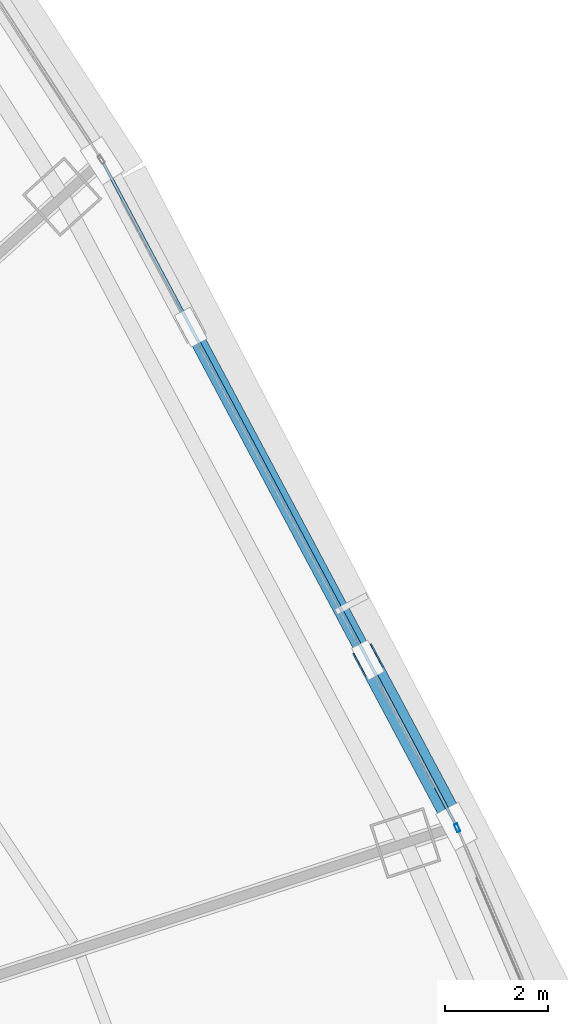
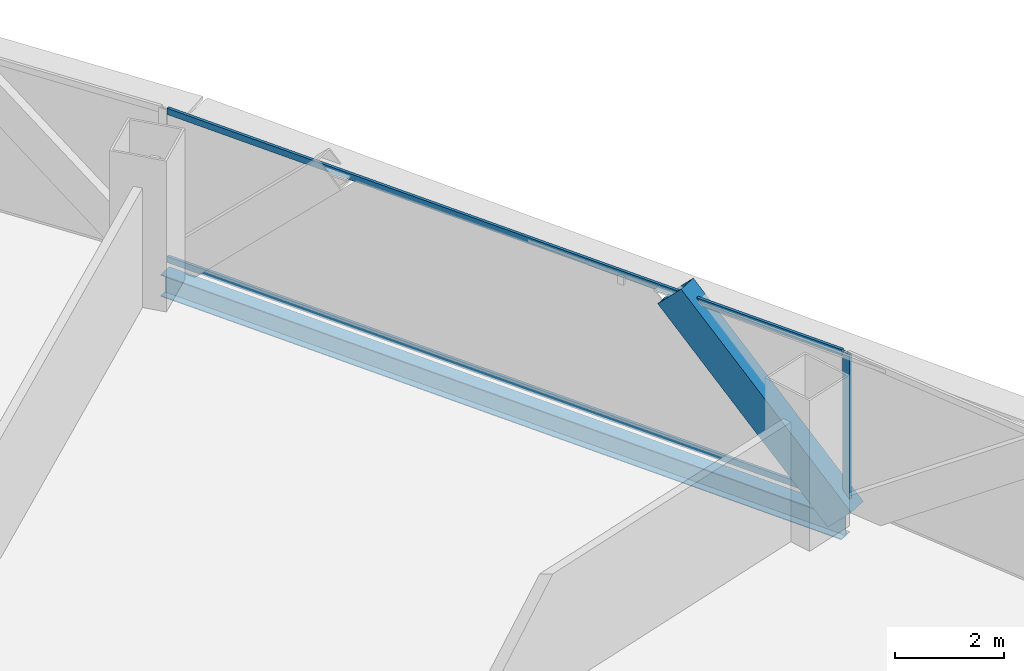
# One storey, part 24 of 41: 4 members, 1 beam, 2 elements without a shape of their own.
"""IFC4 building model written with IfcOpenShell, lengths in metres."""

from ifc_helpers import new_model, si_unit, direction, frame, origin, origin_2d, place, context, subcontext, project, spatial, hollow_rectangle, i_section, extrude, source, transform, mapped, material, layer, layer_set, material_profile, profile_set, type_object, element, aggregate, save


model = new_model("IFC4")

# Units and contexts
model_context = context("Model", 3, precision=1e-05, world=origin(), true_north=direction((0.0, 1.0)))
body_context = subcontext(model_context, "Body", "Model", "MODEL_VIEW")
ifc_project = project(units=[si_unit("LENGTHUNIT", "METRE"), si_unit("AREAUNIT", "SQUARE_METRE"), si_unit("VOLUMEUNIT", "CUBIC_METRE"), si_unit("PLANEANGLEUNIT", "RADIAN"), si_unit("MASSUNIT", "GRAM", prefix="KILO"), si_unit("THERMODYNAMICTEMPERATUREUNIT", "KELVIN"), si_unit("POWERUNIT", "WATT")], contexts=[model_context])

# Site, building, storey
site_placement = place(None, origin())
site = spatial("IfcSite", under=ifc_project, at=site_placement, CompositionType="ELEMENT")
building_placement = place(site_placement, origin())
building = spatial("IfcBuilding", under=site, at=building_placement, Name="Yunzhuo Pagoda Commons", CompositionType="ELEMENT")
storey_placement = place(building_placement, frame((0.0, 0.0, 63.070068359375)))
storey = spatial("IfcBuildingStorey", under=building, at=storey_placement, Name="L16", CompositionType="ELEMENT", Elevation=63.070068359375)

# Beam
ifc_material_1 = material(Name="Structural steel Q355B", Category="steel")
ifc_material_profile_1 = material_profile(ifc_material_1, i_section(OverallWidth=0.300048828125, OverallDepth=0.488037109375, WebThickness=0.010986328125, FlangeThickness=0.01806640625, at=origin_2d()), Name="Structural steel Q355B")
ifc_profile_set_1 = profile_set([ifc_material_profile_1], Name="Structural steel Q355B")
beam_type = type_object("IfcBeamType", Name="B-SP1 Beam HM 488x300x11x18", PredefinedType="BEAM", material=ifc_profile_set_1)
shared_shape_1 = source(origin(), body_context, "Body", "SweptSolid", [
    extrude(i_section(OverallWidth=0.300048828125, OverallDepth=0.488037109375, WebThickness=0.010986328125, FlangeThickness=0.01806640625, at=origin_2d()), origin(), (0.0, 0.0, 1.0), 14.68994140625),
])
beam_placement = place(storey_placement, frame((81.333984375, 44.531005859375, -0.504150390625), z_axis=(-0.470054191836, 0.882637556836, 0.0), x_axis=(-0.882637556836, -0.470054191836, 0.0)))
element("IfcBeam", 1, at=beam_placement, inside=storey, type_object=beam_type, Name="L16 facade edge spandrel beam F2.2", PredefinedType="BEAM", context=body_context, shape_type="MappedRepresentation", body=[
    mapped(shared_shape_1, transform((0.0, 0.0, 0.0), scale=1.0)),
])

# Member
ifc_material_2 = material(Name="Structural steel Q420B", Category="steel")
ifc_material_profile_2 = material_profile(ifc_material_2, hollow_rectangle(XDim=0.419921875, YDim=0.719970703125, WallThickness=0.028076171875, at=origin_2d()), Name="Structural steel Q420B")
ifc_profile_set_2 = profile_set([ifc_material_profile_2], Name="Structural steel Q420B")
member_type_1 = type_object("IfcMemberType", Name="M-DL1 Brace BOX 720x420x28", PredefinedType="BRACE", material=ifc_profile_set_2)
shared_shape_2 = source(origin(), body_context, "Body", "SweptSolid", [
    extrude(hollow_rectangle(XDim=0.419921875, YDim=0.719970703125, WallThickness=0.028076171875, at=origin_2d()), origin(), (0.0, 0.0, 1.0), 5.16357421875),
])
member_1_placement = place(storey_placement, frame((81.333984375, 44.531005859375, -0.260009765625), z_axis=(-0.334279500475, 0.627755152449, 0.702979860406), x_axis=(-0.882658242348, -0.47001534785, 0.0)))
element("IfcMember", 2, at=member_1_placement, inside=storey, type_object=member_type_1, Name="L16 facade diamond brace F2.2L", PredefinedType="BRACE", context=body_context, shape_type="MappedRepresentation", body=[
    mapped(shared_shape_2, transform((0.0, 0.0, 0.0), scale=1.0)),
])

# Curtain wall, member
ifc_material_3 = material(Name="Anodized aluminium 6063-T6", Category="aluminium")
ifc_layer = layer(ifc_material_3, 0.1650390625)
ifc_layer_set = layer_set([ifc_layer], Name="Anodized aluminium 6063-T6")
curtain_wall_type = type_object("IfcCurtainWallType", Name="CW-LOW Low-Zone Ribbon Curtain Wall", PredefinedType="NOTDEFINED", material=ifc_layer_set)
curtain_wall_1_placement = place(storey_placement, origin())
curtain_wall_1 = element("IfcCurtainWall", 3, at=curtain_wall_1_placement, inside=storey, type_object=curtain_wall_type, Name="L16 curtain wall CW-L16-F2B2", PredefinedType="NOTDEFINED")
ifc_material_profile_3 = material_profile(ifc_material_3, hollow_rectangle(XDim=0.06494140625, YDim=0.1650390625, WallThickness=0.00390625, at=origin_2d()), Name="Anodized aluminium 6063-T6")
ifc_profile_set_3 = profile_set([ifc_material_profile_3], Name="Anodized aluminium 6063-T6")
member_type_2 = type_object("IfcMemberType", Name="CW-LOW-M Mullion RHS 165x65x4", PredefinedType="MULLION", material=ifc_profile_set_3)
shared_shape_3 = source(origin(), body_context, "Body", "SweptSolid", [
    extrude(hollow_rectangle(XDim=0.06494140625, YDim=0.1650390625, WallThickness=0.00390625, at=origin_2d()), origin(), (0.0, 0.0, 1.0), 3.369873046875),
])
member_2_placement = place(storey_placement, frame((81.346923828125, 44.5009765625, 0.0), z_axis=(0.0, 0.0, 1.0), x_axis=(-0.919121093161, -0.39397514656, 0.0)))
member_2 = element("IfcMember", 4, at=member_2_placement, type_object=member_type_2, Name="CW mullion 2", PredefinedType="MULLION", context=body_context, shape_type="MappedRepresentation", body=[
    mapped(shared_shape_3, transform((0.0, 0.0, 0.0), scale=1.0)),
])
aggregate(curtain_wall_1, [member_2])

# Curtain wall, members
curtain_wall_2_placement = place(storey_placement, origin())
curtain_wall_2 = element("IfcCurtainWall", 5, at=curtain_wall_2_placement, inside=storey, type_object=curtain_wall_type, Name="L16 curtain wall CW-L16-F2B3", PredefinedType="NOTDEFINED")
ifc_material_profile_4 = material_profile(ifc_material_3, hollow_rectangle(XDim=0.06005859375, YDim=0.139892578125, WallThickness=0.00341796875, at=origin_2d()), Name="Anodized aluminium 6063-T6")
ifc_profile_set_4 = profile_set([ifc_material_profile_4], Name="Anodized aluminium 6063-T6")
member_type_3 = type_object("IfcMemberType", Name="CW-LOW-T Transom RHS 140x60x3.5", PredefinedType="USERDEFINED", material=ifc_profile_set_4)
shared_shape_4 = source(origin(), body_context, "Body", "SweptSolid", [
    extrude(hollow_rectangle(XDim=0.06005859375, YDim=0.139892578125, WallThickness=0.00341796875, at=origin_2d()), origin(), (0.0, 0.0, 1.0), 14.559814453125),
])
member_3_placement = place(storey_placement, frame((81.303466796875, 44.58837890625, 0.030029296875), z_axis=(-0.470058129853, 0.882635459609, 0.0), x_axis=(-0.882635459609, -0.470058129853, 0.0)))
member_3 = element("IfcMember", 6, at=member_3_placement, type_object=member_type_3, Name="CW transom 1.1", ObjectType="TRANSOM", PredefinedType="USERDEFINED", context=body_context, shape_type="MappedRepresentation", body=[
    mapped(shared_shape_4, transform((0.0, 0.0, 0.0), scale=1.0)),
])
member_4_placement = place(storey_placement, frame((81.303466796875, 44.58837890625, 3.33984375), z_axis=(-0.470058129853, 0.882635459609, 0.0), x_axis=(-0.882635459609, -0.470058129853, 0.0)))
member_4 = element("IfcMember", 7, at=member_4_placement, type_object=member_type_3, Name="CW transom 1.2", ObjectType="TRANSOM", PredefinedType="USERDEFINED", context=body_context, shape_type="MappedRepresentation", body=[
    mapped(shared_shape_4, transform((0.0, 0.0, 0.0), scale=1.0)),
])
aggregate(curtain_wall_2, [member_3, member_4])

save(model, "model.ifc")
